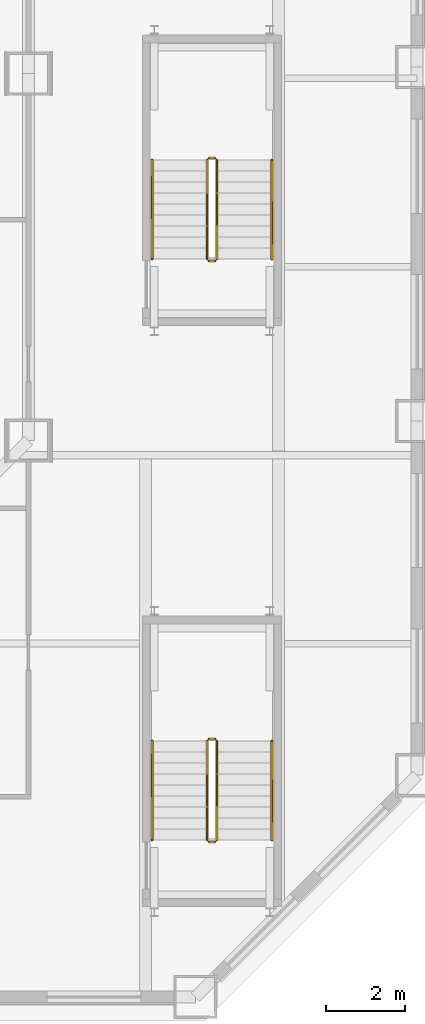
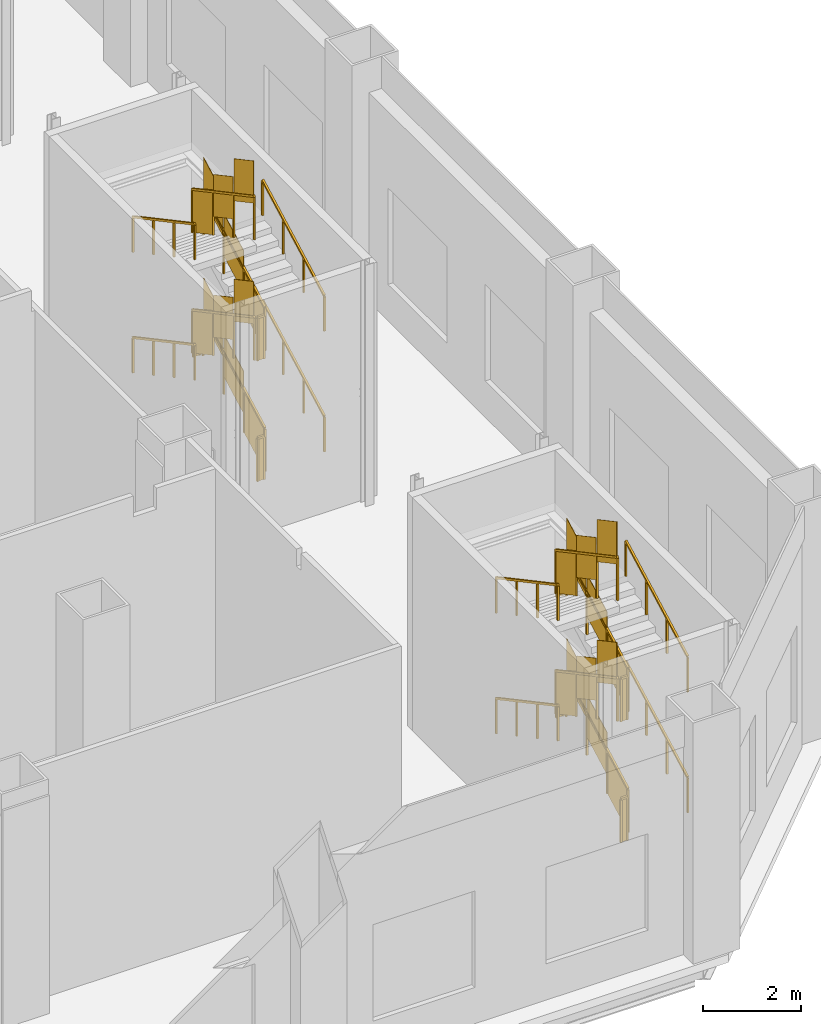
# One storey, part 29 of 31: 23 railings.
"""IFC4 building model written with IfcOpenShell, lengths in metres."""

from ifc_helpers import new_model, si_unit, direction, frame, origin, origin_2d, place, context, subcontext, project, spatial, polyline, rectangle, outline, extrude, material, type_object, element, save


model = new_model("IFC4")

# Units and contexts
model_context = context("Model", 3, precision=1e-05, world=origin(), true_north=direction((0.0, 1.0)))
body_context = subcontext(model_context, "Body", "Model", "MODEL_VIEW")
ifc_project = project(units=[si_unit("LENGTHUNIT", "METRE"), si_unit("AREAUNIT", "SQUARE_METRE"), si_unit("VOLUMEUNIT", "CUBIC_METRE"), si_unit("PLANEANGLEUNIT", "RADIAN"), si_unit("MASSUNIT", "GRAM", prefix="KILO")], contexts=[model_context])

# Site, building, storey
site_placement = place(None, origin())
site = spatial("IfcSite", under=ifc_project, at=site_placement, CompositionType="ELEMENT")
building_placement = place(site_placement, origin())
building = spatial("IfcBuilding", under=site, at=building_placement, Name="Cairn Pilgrim Tower", CompositionType="ELEMENT")
storey_placement = place(building_placement, frame((0.0, 0.0, 9.0)))
storey = spatial("IfcBuildingStorey", under=building, at=storey_placement, Name="L01", CompositionType="ELEMENT", Elevation=9.0)

# Railings
ifc_material = material(Name="Painted steel", Category="steel")
railing_type_1 = type_object("IfcRailingType", Name="PODIUM STAIR GUARD 1100", PredefinedType="GUARDRAIL", material=ifc_material)
railing_1_placement = place(storey_placement, frame((32.699951171875, -24.199951171875, 0.14990234375)))
element("IfcRailing", 1, at=railing_1_placement, inside=storey, type_object=railing_type_1, Name="L01 ST-ES1 stair guard 1", PredefinedType="GUARDRAIL", context=body_context, shape_type="SweptSolid", body=[
    extrude(rectangle(XDim=0.048095703125, YDim=0.048095703125, at=origin_2d()), frame((0.0, 0.0, 1.076171875), z_axis=(0.0, 0.881467274426, 0.472245110209), x_axis=(-1.0, 0.0, 0.0)), (0.0, 0.0, 1.0), 2.85888671875),
    extrude(rectangle(XDim=0.0419921875, YDim=0.0419921875, at=origin_2d()), origin(), (0.0, 0.0, 1.0), 1.052001953125),
    extrude(rectangle(XDim=0.0419921875, YDim=0.0419921875, at=origin_2d()), frame((0.0, 0.840087890625, 0.449951171875)), (0.0, 0.0, 1.0), 1.052001953125),
    extrude(rectangle(XDim=0.0419921875, YDim=0.0419921875, at=origin_2d()), frame((0.0, 1.679931640625, 0.900146484375)), (0.0, 0.0, 1.0), 1.052001953125),
    extrude(rectangle(XDim=0.0419921875, YDim=0.0419921875, at=origin_2d()), frame((0.0, 2.52001953125, 1.35009765625)), (0.0, 0.0, 1.0), 1.052001953125),
    extrude(outline(polyline([(0.02099609375, 0.01123046875), (0.819091796875, 0.438720703125), (0.819091796875, 1.49072265625), (0.02099609375, 1.063232421875), (0.02099609375, 0.01123046875)])), frame((-0.005859375, 0.0, 0.0), z_axis=(1.0, 0.0, 0.0), x_axis=(0.0, 1.0, 0.0)), (0.0, 0.0, 1.0), 0.011962890625),
    extrude(outline(polyline([(0.02099609375, 0.461181640625), (0.819091796875, 0.888916015625), (0.819091796875, 1.94091796875), (0.02099609375, 1.51318359375), (0.02099609375, 0.461181640625)])), frame((-0.005859375, 0.840087890625, 0.449951171875), z_axis=(1.0, 0.0, 0.0), x_axis=(0.0, 1.0, 0.0)), (0.0, 0.0, 1.0), 0.011962890625),
    extrude(outline(polyline([(0.02099609375, 0.911376953125), (0.819091796875, 1.3388671875), (0.819091796875, 2.390869140625), (0.02099609375, 1.96337890625), (0.02099609375, 0.911376953125)])), frame((-0.005859375, 1.679931640625, 0.900146484375), z_axis=(1.0, 0.0, 0.0), x_axis=(0.0, 1.0, 0.0)), (0.0, 0.0, 1.0), 0.011962890625),
])
railing_2_placement = place(storey_placement, frame((32.64990234375, -21.6298828125, 1.5)))
element("IfcRailing", 2, at=railing_2_placement, inside=storey, type_object=railing_type_1, Name="L01 ST-ES1 stair guard 2", PredefinedType="GUARDRAIL", context=body_context, shape_type="SweptSolid", body=[
    extrude(rectangle(XDim=0.048095703125, YDim=0.048095703125, at=origin_2d()), frame((0.0, 0.0, 1.076171875), z_axis=(-1.0, 0.0, 0.0), x_axis=(0.0, -1.0, 0.0)), (0.0, 0.0, 1.0), 0.14990234375),
    extrude(rectangle(XDim=0.0419921875, YDim=0.0419921875, at=origin_2d()), origin(), (0.0, 0.0, 1.0), 1.052001953125),
    extrude(rectangle(XDim=0.0419921875, YDim=0.0419921875, at=origin_2d()), frame((-0.14990234375, 0.0, 0.0)), (0.0, 0.0, 1.0), 1.052001953125),
    extrude(outline(polyline([(0.02099609375, 0.0), (0.12890625, 0.0), (0.12890625, 1.052001953125), (0.02099609375, 1.052001953125), (0.02099609375, 0.0)])), frame((0.0, -0.005859375, 0.0), z_axis=(0.0, 1.0, 0.0), x_axis=(-1.0, 0.0, 0.0)), (0.0, 0.0, 1.0), 0.011962890625),
])
railing_3_placement = place(storey_placement, frame((32.449951171875, -21.679931640625, 1.64990234375)))
element("IfcRailing", 3, at=railing_3_placement, inside=storey, type_object=railing_type_1, Name="L01 ST-ES1 stair guard 3", PredefinedType="GUARDRAIL", context=body_context, shape_type="SweptSolid", body=[
    extrude(rectangle(XDim=0.048095703125, YDim=0.048095703125, at=origin_2d()), frame((0.0, 0.0, 1.076171875), z_axis=(0.0, -0.881467274426, 0.472245110209), x_axis=(1.0, 0.0, 0.0)), (0.0, 0.0, 1.0), 2.85888671875),
    extrude(rectangle(XDim=0.0419921875, YDim=0.0419921875, at=origin_2d()), origin(), (0.0, 0.0, 1.0), 1.052001953125),
    extrude(rectangle(XDim=0.0419921875, YDim=0.0419921875, at=origin_2d()), frame((0.0, -0.840087890625, 0.449951171875)), (0.0, 0.0, 1.0), 1.052001953125),
    extrude(rectangle(XDim=0.0419921875, YDim=0.0419921875, at=origin_2d()), frame((0.0, -1.679931640625, 0.900146484375)), (0.0, 0.0, 1.0), 1.052001953125),
    extrude(rectangle(XDim=0.0419921875, YDim=0.0419921875, at=origin_2d()), frame((0.0, -2.52001953125, 1.35009765625)), (0.0, 0.0, 1.0), 1.052001953125),
    extrude(outline(polyline([(0.02099609375, 0.01123046875), (0.819091796875, 0.438720703125), (0.819091796875, 1.49072265625), (0.02099609375, 1.063232421875), (0.02099609375, 0.01123046875)])), frame((0.005859375, 0.0, 0.0), z_axis=(-1.0, 0.0, 0.0), x_axis=(0.0, -1.0, 0.0)), (0.0, 0.0, 1.0), 0.011962890625),
    extrude(outline(polyline([(0.02099609375, 0.461181640625), (0.819091796875, 0.888916015625), (0.819091796875, 1.94091796875), (0.02099609375, 1.51318359375), (0.02099609375, 0.461181640625)])), frame((0.005859375, -0.840087890625, 0.449951171875), z_axis=(-1.0, 0.0, 0.0), x_axis=(0.0, -1.0, 0.0)), (0.0, 0.0, 1.0), 0.011962890625),
    extrude(outline(polyline([(0.02099609375, 0.911376953125), (0.819091796875, 1.3388671875), (0.819091796875, 2.390869140625), (0.02099609375, 1.96337890625), (0.02099609375, 0.911376953125)])), frame((0.005859375, -1.679931640625, 0.900146484375), z_axis=(-1.0, 0.0, 0.0), x_axis=(0.0, -1.0, 0.0)), (0.0, 0.0, 1.0), 0.011962890625),
])
railing_4_placement = place(storey_placement, frame((32.64990234375, -24.25, 3.0)))
element("IfcRailing", 4, at=railing_4_placement, inside=storey, type_object=railing_type_1, Name="L01 ST-ES1 stair guard 4", PredefinedType="GUARDRAIL", context=body_context, shape_type="SweptSolid", body=[
    extrude(rectangle(XDim=0.048095703125, YDim=0.048095703125, at=origin_2d()), frame((0.0, 0.0, 1.076171875), z_axis=(-1.0, 0.0, 0.0), x_axis=(0.0, -1.0, 0.0)), (0.0, 0.0, 1.0), 0.14990234375),
    extrude(rectangle(XDim=0.0419921875, YDim=0.0419921875, at=origin_2d()), origin(), (0.0, 0.0, 1.0), 1.052001953125),
    extrude(rectangle(XDim=0.0419921875, YDim=0.0419921875, at=origin_2d()), frame((-0.14990234375, 0.0, 0.0)), (0.0, 0.0, 1.0), 1.052001953125),
    extrude(outline(polyline([(0.02099609375, 0.0), (0.12890625, 0.0), (0.12890625, 1.052001953125), (0.02099609375, 1.052001953125), (0.02099609375, 0.0)])), frame((0.0, -0.005859375, 0.0), z_axis=(0.0, 1.0, 0.0), x_axis=(-1.0, 0.0, 0.0)), (0.0, 0.0, 1.0), 0.011962890625),
])
railing_5_placement = place(storey_placement, frame((32.699951171875, -24.199951171875, 3.14990234375)))
element("IfcRailing", 5, at=railing_5_placement, inside=storey, type_object=railing_type_1, Name="L01 ST-ES1 stair guard 5", PredefinedType="GUARDRAIL", context=body_context, shape_type="SweptSolid", body=[
    extrude(rectangle(XDim=0.048095703125, YDim=0.048095703125, at=origin_2d()), frame((0.0, 0.0, 1.076171875), z_axis=(0.0, 0.881467274426, 0.472245110209), x_axis=(-1.0, 0.0, 0.0)), (0.0, 0.0, 1.0), 2.85888671875),
    extrude(rectangle(XDim=0.0419921875, YDim=0.0419921875, at=origin_2d()), origin(), (0.0, 0.0, 1.0), 1.052001953125),
    extrude(rectangle(XDim=0.0419921875, YDim=0.0419921875, at=origin_2d()), frame((0.0, 0.840087890625, 0.449951171875)), (0.0, 0.0, 1.0), 1.052001953125),
    extrude(rectangle(XDim=0.0419921875, YDim=0.0419921875, at=origin_2d()), frame((0.0, 1.679931640625, 0.900146484375)), (0.0, 0.0, 1.0), 1.052001953125),
    extrude(rectangle(XDim=0.0419921875, YDim=0.0419921875, at=origin_2d()), frame((0.0, 2.52001953125, 1.35009765625)), (0.0, 0.0, 1.0), 1.052001953125),
    extrude(outline(polyline([(0.02099609375, 0.01123046875), (0.819091796875, 0.438720703125), (0.819091796875, 1.49072265625), (0.02099609375, 1.063232421875), (0.02099609375, 0.01123046875)])), frame((-0.005859375, 0.0, 0.0), z_axis=(1.0, 0.0, 0.0), x_axis=(0.0, 1.0, 0.0)), (0.0, 0.0, 1.0), 0.011962890625),
    extrude(outline(polyline([(0.02099609375, 0.461181640625), (0.819091796875, 0.888916015625), (0.819091796875, 1.94091796875), (0.02099609375, 1.51318359375), (0.02099609375, 0.461181640625)])), frame((-0.005859375, 0.840087890625, 0.449951171875), z_axis=(1.0, 0.0, 0.0), x_axis=(0.0, 1.0, 0.0)), (0.0, 0.0, 1.0), 0.011962890625),
    extrude(outline(polyline([(0.02099609375, 0.911376953125), (0.819091796875, 1.3388671875), (0.819091796875, 2.390869140625), (0.02099609375, 1.96337890625), (0.02099609375, 0.911376953125)])), frame((-0.005859375, 1.679931640625, 0.900146484375), z_axis=(1.0, 0.0, 0.0), x_axis=(0.0, 1.0, 0.0)), (0.0, 0.0, 1.0), 0.011962890625),
])
railing_6_placement = place(storey_placement, frame((32.64990234375, -21.6298828125, 4.5)))
element("IfcRailing", 6, at=railing_6_placement, inside=storey, type_object=railing_type_1, Name="L01 ST-ES1 stair guard 6", PredefinedType="GUARDRAIL", context=body_context, shape_type="SweptSolid", body=[
    extrude(rectangle(XDim=0.048095703125, YDim=0.048095703125, at=origin_2d()), frame((0.0, 0.0, 1.076171875), z_axis=(-1.0, 0.0, 0.0), x_axis=(0.0, -1.0, 0.0)), (0.0, 0.0, 1.0), 0.14990234375),
    extrude(rectangle(XDim=0.0419921875, YDim=0.0419921875, at=origin_2d()), origin(), (0.0, 0.0, 1.0), 1.052001953125),
    extrude(rectangle(XDim=0.0419921875, YDim=0.0419921875, at=origin_2d()), frame((-0.14990234375, 0.0, 0.0)), (0.0, 0.0, 1.0), 1.052001953125),
    extrude(outline(polyline([(0.02099609375, 0.0), (0.12890625, 0.0), (0.12890625, 1.052001953125), (0.02099609375, 1.052001953125), (0.02099609375, 0.0)])), frame((0.0, -0.005859375, 0.0), z_axis=(0.0, 1.0, 0.0), x_axis=(-1.0, 0.0, 0.0)), (0.0, 0.0, 1.0), 0.011962890625),
])
railing_7_placement = place(storey_placement, frame((32.449951171875, -21.679931640625, 4.64990234375)))
element("IfcRailing", 7, at=railing_7_placement, inside=storey, type_object=railing_type_1, Name="L01 ST-ES1 stair guard 7", PredefinedType="GUARDRAIL", context=body_context, shape_type="SweptSolid", body=[
    extrude(rectangle(XDim=0.048095703125, YDim=0.048095703125, at=origin_2d()), frame((0.0, 0.0, 1.076171875), z_axis=(0.0, -0.881467274426, 0.472245110209), x_axis=(1.0, 0.0, 0.0)), (0.0, 0.0, 1.0), 2.85888671875),
    extrude(rectangle(XDim=0.0419921875, YDim=0.0419921875, at=origin_2d()), origin(), (0.0, 0.0, 1.0), 1.052001953125),
    extrude(rectangle(XDim=0.0419921875, YDim=0.0419921875, at=origin_2d()), frame((0.0, -0.840087890625, 0.449951171875)), (0.0, 0.0, 1.0), 1.052001953125),
    extrude(rectangle(XDim=0.0419921875, YDim=0.0419921875, at=origin_2d()), frame((0.0, -1.679931640625, 0.900146484375)), (0.0, 0.0, 1.0), 1.052001953125),
    extrude(rectangle(XDim=0.0419921875, YDim=0.0419921875, at=origin_2d()), frame((0.0, -2.52001953125, 1.35009765625)), (0.0, 0.0, 1.0), 1.052001953125),
    extrude(outline(polyline([(0.02099609375, 0.01123046875), (0.819091796875, 0.438720703125), (0.819091796875, 1.49072265625), (0.02099609375, 1.063232421875), (0.02099609375, 0.01123046875)])), frame((0.005859375, 0.0, 0.0), z_axis=(-1.0, 0.0, 0.0), x_axis=(0.0, -1.0, 0.0)), (0.0, 0.0, 1.0), 0.011962890625),
    extrude(outline(polyline([(0.02099609375, 0.461181640625), (0.819091796875, 0.888916015625), (0.819091796875, 1.94091796875), (0.02099609375, 1.51318359375), (0.02099609375, 0.461181640625)])), frame((0.005859375, -0.840087890625, 0.449951171875), z_axis=(-1.0, 0.0, 0.0), x_axis=(0.0, -1.0, 0.0)), (0.0, 0.0, 1.0), 0.011962890625),
    extrude(outline(polyline([(0.02099609375, 0.911376953125), (0.819091796875, 1.3388671875), (0.819091796875, 2.390869140625), (0.02099609375, 1.96337890625), (0.02099609375, 0.911376953125)])), frame((0.005859375, -1.679931640625, 0.900146484375), z_axis=(-1.0, 0.0, 0.0), x_axis=(0.0, -1.0, 0.0)), (0.0, 0.0, 1.0), 0.011962890625),
])
railing_8_placement = place(storey_placement, frame((32.64990234375, -24.25, 0.0)))
element("IfcRailing", 8, at=railing_8_placement, inside=storey, type_object=railing_type_1, Name="L01 ST-ES1 stair guard 8", PredefinedType="GUARDRAIL", context=body_context, shape_type="SweptSolid", body=[
    extrude(rectangle(XDim=0.048095703125, YDim=0.048095703125, at=origin_2d()), frame((0.0, 0.0, 1.076171875), z_axis=(-1.0, 0.0, 0.0), x_axis=(0.0, -1.0, 0.0)), (0.0, 0.0, 1.0), 0.14990234375),
    extrude(rectangle(XDim=0.0419921875, YDim=0.0419921875, at=origin_2d()), origin(), (0.0, 0.0, 1.0), 1.052001953125),
    extrude(rectangle(XDim=0.0419921875, YDim=0.0419921875, at=origin_2d()), frame((-0.14990234375, 0.0, 0.0)), (0.0, 0.0, 1.0), 1.052001953125),
    extrude(outline(polyline([(0.02099609375, 0.0), (0.12890625, 0.0), (0.12890625, 1.052001953125), (0.02099609375, 1.052001953125), (0.02099609375, 0.0)])), frame((0.0, -0.005859375, 0.0), z_axis=(0.0, 1.0, 0.0), x_axis=(-1.0, 0.0, 0.0)), (0.0, 0.0, 1.0), 0.011962890625),
])
railing_9_placement = place(storey_placement, frame((32.699951171875, -9.39990234375, 0.14990234375)))
element("IfcRailing", 9, at=railing_9_placement, inside=storey, type_object=railing_type_1, Name="L01 ST-ES2 stair guard 1", PredefinedType="GUARDRAIL", context=body_context, shape_type="SweptSolid", body=[
    extrude(rectangle(XDim=0.048095703125, YDim=0.048095703125, at=origin_2d()), frame((0.0, 0.0, 1.076171875), z_axis=(0.0, 0.881467274426, 0.472245110209), x_axis=(-1.0, 0.0, 0.0)), (0.0, 0.0, 1.0), 2.85888671875),
    extrude(rectangle(XDim=0.0419921875, YDim=0.0419921875, at=origin_2d()), origin(), (0.0, 0.0, 1.0), 1.052001953125),
    extrude(rectangle(XDim=0.0419921875, YDim=0.0419921875, at=origin_2d()), frame((0.0, 0.840087890625, 0.449951171875)), (0.0, 0.0, 1.0), 1.052001953125),
    extrude(rectangle(XDim=0.0419921875, YDim=0.0419921875, at=origin_2d()), frame((0.0, 1.679931640625, 0.900146484375)), (0.0, 0.0, 1.0), 1.052001953125),
    extrude(rectangle(XDim=0.0419921875, YDim=0.0419921875, at=origin_2d()), frame((0.0, 2.52001953125, 1.35009765625)), (0.0, 0.0, 1.0), 1.052001953125),
    extrude(outline(polyline([(0.02099609375, 0.01123046875), (0.819091796875, 0.438720703125), (0.819091796875, 1.49072265625), (0.02099609375, 1.063232421875), (0.02099609375, 0.01123046875)])), frame((-0.005859375, 0.0, 0.0), z_axis=(1.0, 0.0, 0.0), x_axis=(0.0, 1.0, 0.0)), (0.0, 0.0, 1.0), 0.011962890625),
    extrude(outline(polyline([(0.02099609375, 0.461181640625), (0.819091796875, 0.888916015625), (0.819091796875, 1.94091796875), (0.02099609375, 1.51318359375), (0.02099609375, 0.461181640625)])), frame((-0.005859375, 0.840087890625, 0.449951171875), z_axis=(1.0, 0.0, 0.0), x_axis=(0.0, 1.0, 0.0)), (0.0, 0.0, 1.0), 0.011962890625),
    extrude(outline(polyline([(0.02099609375, 0.911376953125), (0.819091796875, 1.3388671875), (0.819091796875, 2.390869140625), (0.02099609375, 1.96337890625), (0.02099609375, 0.911376953125)])), frame((-0.005859375, 1.679931640625, 0.900146484375), z_axis=(1.0, 0.0, 0.0), x_axis=(0.0, 1.0, 0.0)), (0.0, 0.0, 1.0), 0.011962890625),
])
railing_10_placement = place(storey_placement, frame((32.64990234375, -6.830078125, 1.5)))
element("IfcRailing", 10, at=railing_10_placement, inside=storey, type_object=railing_type_1, Name="L01 ST-ES2 stair guard 2", PredefinedType="GUARDRAIL", context=body_context, shape_type="SweptSolid", body=[
    extrude(rectangle(XDim=0.048095703125, YDim=0.048095703125, at=origin_2d()), frame((0.0, 0.0, 1.076171875), z_axis=(-1.0, 0.0, 0.0), x_axis=(0.0, -1.0, 0.0)), (0.0, 0.0, 1.0), 0.14990234375),
    extrude(rectangle(XDim=0.0419921875, YDim=0.0419921875, at=origin_2d()), origin(), (0.0, 0.0, 1.0), 1.052001953125),
    extrude(rectangle(XDim=0.0419921875, YDim=0.0419921875, at=origin_2d()), frame((-0.14990234375, 0.0, 0.0)), (0.0, 0.0, 1.0), 1.052001953125),
    extrude(outline(polyline([(0.02099609375, 0.0), (0.12890625, 0.0), (0.12890625, 1.052001953125), (0.02099609375, 1.052001953125), (0.02099609375, 0.0)])), frame((0.0, -0.005859375, 0.0), z_axis=(0.0, 1.0, 0.0), x_axis=(-1.0, 0.0, 0.0)), (0.0, 0.0, 1.0), 0.011962890625),
])
railing_11_placement = place(storey_placement, frame((32.449951171875, -6.8798828125, 1.64990234375)))
element("IfcRailing", 11, at=railing_11_placement, inside=storey, type_object=railing_type_1, Name="L01 ST-ES2 stair guard 3", PredefinedType="GUARDRAIL", context=body_context, shape_type="SweptSolid", body=[
    extrude(rectangle(XDim=0.048095703125, YDim=0.048095703125, at=origin_2d()), frame((0.0, 0.0, 1.076171875), z_axis=(0.0, -0.881467274426, 0.472245110209), x_axis=(1.0, 0.0, 0.0)), (0.0, 0.0, 1.0), 2.85888671875),
    extrude(rectangle(XDim=0.0419921875, YDim=0.0419921875, at=origin_2d()), origin(), (0.0, 0.0, 1.0), 1.052001953125),
    extrude(rectangle(XDim=0.0419921875, YDim=0.0419921875, at=origin_2d()), frame((0.0, -0.840087890625, 0.449951171875)), (0.0, 0.0, 1.0), 1.052001953125),
    extrude(rectangle(XDim=0.0419921875, YDim=0.0419921875, at=origin_2d()), frame((0.0, -1.679931640625, 0.900146484375)), (0.0, 0.0, 1.0), 1.052001953125),
    extrude(rectangle(XDim=0.0419921875, YDim=0.0419921875, at=origin_2d()), frame((0.0, -2.52001953125, 1.35009765625)), (0.0, 0.0, 1.0), 1.052001953125),
    extrude(outline(polyline([(0.02099609375, 0.01123046875), (0.819091796875, 0.438720703125), (0.819091796875, 1.49072265625), (0.02099609375, 1.063232421875), (0.02099609375, 0.01123046875)])), frame((0.005859375, 0.0, 0.0), z_axis=(-1.0, 0.0, 0.0), x_axis=(0.0, -1.0, 0.0)), (0.0, 0.0, 1.0), 0.011962890625),
    extrude(outline(polyline([(0.02099609375, 0.461181640625), (0.819091796875, 0.888916015625), (0.819091796875, 1.94091796875), (0.02099609375, 1.51318359375), (0.02099609375, 0.461181640625)])), frame((0.005859375, -0.840087890625, 0.449951171875), z_axis=(-1.0, 0.0, 0.0), x_axis=(0.0, -1.0, 0.0)), (0.0, 0.0, 1.0), 0.011962890625),
    extrude(outline(polyline([(0.02099609375, 0.911376953125), (0.819091796875, 1.3388671875), (0.819091796875, 2.390869140625), (0.02099609375, 1.96337890625), (0.02099609375, 0.911376953125)])), frame((0.005859375, -1.679931640625, 0.900146484375), z_axis=(-1.0, 0.0, 0.0), x_axis=(0.0, -1.0, 0.0)), (0.0, 0.0, 1.0), 0.011962890625),
])
railing_12_placement = place(storey_placement, frame((32.64990234375, -9.449951171875, 3.0)))
element("IfcRailing", 12, at=railing_12_placement, inside=storey, type_object=railing_type_1, Name="L01 ST-ES2 stair guard 4", PredefinedType="GUARDRAIL", context=body_context, shape_type="SweptSolid", body=[
    extrude(rectangle(XDim=0.048095703125, YDim=0.048095703125, at=origin_2d()), frame((0.0, 0.0, 1.076171875), z_axis=(-1.0, 0.0, 0.0), x_axis=(0.0, -1.0, 0.0)), (0.0, 0.0, 1.0), 0.14990234375),
    extrude(rectangle(XDim=0.0419921875, YDim=0.0419921875, at=origin_2d()), origin(), (0.0, 0.0, 1.0), 1.052001953125),
    extrude(rectangle(XDim=0.0419921875, YDim=0.0419921875, at=origin_2d()), frame((-0.14990234375, 0.0, 0.0)), (0.0, 0.0, 1.0), 1.052001953125),
    extrude(outline(polyline([(0.02099609375, 0.0), (0.12890625, 0.0), (0.12890625, 1.052001953125), (0.02099609375, 1.052001953125), (0.02099609375, 0.0)])), frame((0.0, -0.005859375, 0.0), z_axis=(0.0, 1.0, 0.0), x_axis=(-1.0, 0.0, 0.0)), (0.0, 0.0, 1.0), 0.011962890625),
])
railing_13_placement = place(storey_placement, frame((32.699951171875, -9.39990234375, 3.14990234375)))
element("IfcRailing", 13, at=railing_13_placement, inside=storey, type_object=railing_type_1, Name="L01 ST-ES2 stair guard 5", PredefinedType="GUARDRAIL", context=body_context, shape_type="SweptSolid", body=[
    extrude(rectangle(XDim=0.048095703125, YDim=0.048095703125, at=origin_2d()), frame((0.0, 0.0, 1.076171875), z_axis=(0.0, 0.881467274426, 0.472245110209), x_axis=(-1.0, 0.0, 0.0)), (0.0, 0.0, 1.0), 2.85888671875),
    extrude(rectangle(XDim=0.0419921875, YDim=0.0419921875, at=origin_2d()), origin(), (0.0, 0.0, 1.0), 1.052001953125),
    extrude(rectangle(XDim=0.0419921875, YDim=0.0419921875, at=origin_2d()), frame((0.0, 0.840087890625, 0.449951171875)), (0.0, 0.0, 1.0), 1.052001953125),
    extrude(rectangle(XDim=0.0419921875, YDim=0.0419921875, at=origin_2d()), frame((0.0, 1.679931640625, 0.900146484375)), (0.0, 0.0, 1.0), 1.052001953125),
    extrude(rectangle(XDim=0.0419921875, YDim=0.0419921875, at=origin_2d()), frame((0.0, 2.52001953125, 1.35009765625)), (0.0, 0.0, 1.0), 1.052001953125),
    extrude(outline(polyline([(0.02099609375, 0.01123046875), (0.819091796875, 0.438720703125), (0.819091796875, 1.49072265625), (0.02099609375, 1.063232421875), (0.02099609375, 0.01123046875)])), frame((-0.005859375, 0.0, 0.0), z_axis=(1.0, 0.0, 0.0), x_axis=(0.0, 1.0, 0.0)), (0.0, 0.0, 1.0), 0.011962890625),
    extrude(outline(polyline([(0.02099609375, 0.461181640625), (0.819091796875, 0.888916015625), (0.819091796875, 1.94091796875), (0.02099609375, 1.51318359375), (0.02099609375, 0.461181640625)])), frame((-0.005859375, 0.840087890625, 0.449951171875), z_axis=(1.0, 0.0, 0.0), x_axis=(0.0, 1.0, 0.0)), (0.0, 0.0, 1.0), 0.011962890625),
    extrude(outline(polyline([(0.02099609375, 0.911376953125), (0.819091796875, 1.3388671875), (0.819091796875, 2.390869140625), (0.02099609375, 1.96337890625), (0.02099609375, 0.911376953125)])), frame((-0.005859375, 1.679931640625, 0.900146484375), z_axis=(1.0, 0.0, 0.0), x_axis=(0.0, 1.0, 0.0)), (0.0, 0.0, 1.0), 0.011962890625),
])
railing_14_placement = place(storey_placement, frame((32.449951171875, -6.8798828125, 4.64990234375)))
element("IfcRailing", 14, at=railing_14_placement, inside=storey, type_object=railing_type_1, Name="L01 ST-ES2 stair guard 7", PredefinedType="GUARDRAIL", context=body_context, shape_type="SweptSolid", body=[
    extrude(rectangle(XDim=0.048095703125, YDim=0.048095703125, at=origin_2d()), frame((0.0, 0.0, 1.076171875), z_axis=(0.0, -0.881467274426, 0.472245110209), x_axis=(1.0, 0.0, 0.0)), (0.0, 0.0, 1.0), 2.85888671875),
    extrude(rectangle(XDim=0.0419921875, YDim=0.0419921875, at=origin_2d()), origin(), (0.0, 0.0, 1.0), 1.052001953125),
    extrude(rectangle(XDim=0.0419921875, YDim=0.0419921875, at=origin_2d()), frame((0.0, -0.840087890625, 0.449951171875)), (0.0, 0.0, 1.0), 1.052001953125),
    extrude(rectangle(XDim=0.0419921875, YDim=0.0419921875, at=origin_2d()), frame((0.0, -1.679931640625, 0.900146484375)), (0.0, 0.0, 1.0), 1.052001953125),
    extrude(rectangle(XDim=0.0419921875, YDim=0.0419921875, at=origin_2d()), frame((0.0, -2.52001953125, 1.35009765625)), (0.0, 0.0, 1.0), 1.052001953125),
    extrude(outline(polyline([(0.02099609375, 0.01123046875), (0.819091796875, 0.438720703125), (0.819091796875, 1.49072265625), (0.02099609375, 1.063232421875), (0.02099609375, 0.01123046875)])), frame((0.005859375, 0.0, 0.0), z_axis=(-1.0, 0.0, 0.0), x_axis=(0.0, -1.0, 0.0)), (0.0, 0.0, 1.0), 0.011962890625),
    extrude(outline(polyline([(0.02099609375, 0.461181640625), (0.819091796875, 0.888916015625), (0.819091796875, 1.94091796875), (0.02099609375, 1.51318359375), (0.02099609375, 0.461181640625)])), frame((0.005859375, -0.840087890625, 0.449951171875), z_axis=(-1.0, 0.0, 0.0), x_axis=(0.0, -1.0, 0.0)), (0.0, 0.0, 1.0), 0.011962890625),
    extrude(outline(polyline([(0.02099609375, 0.911376953125), (0.819091796875, 1.3388671875), (0.819091796875, 2.390869140625), (0.02099609375, 1.96337890625), (0.02099609375, 0.911376953125)])), frame((0.005859375, -1.679931640625, 0.900146484375), z_axis=(-1.0, 0.0, 0.0), x_axis=(0.0, -1.0, 0.0)), (0.0, 0.0, 1.0), 0.011962890625),
])
railing_15_placement = place(storey_placement, frame((32.64990234375, -9.449951171875, 0.0)))
element("IfcRailing", 15, at=railing_15_placement, inside=storey, type_object=railing_type_1, Name="L01 ST-ES2 stair guard 8", PredefinedType="GUARDRAIL", context=body_context, shape_type="SweptSolid", body=[
    extrude(rectangle(XDim=0.048095703125, YDim=0.048095703125, at=origin_2d()), frame((0.0, 0.0, 1.076171875), z_axis=(-1.0, 0.0, 0.0), x_axis=(0.0, -1.0, 0.0)), (0.0, 0.0, 1.0), 0.14990234375),
    extrude(rectangle(XDim=0.0419921875, YDim=0.0419921875, at=origin_2d()), origin(), (0.0, 0.0, 1.0), 1.052001953125),
    extrude(rectangle(XDim=0.0419921875, YDim=0.0419921875, at=origin_2d()), frame((-0.14990234375, 0.0, 0.0)), (0.0, 0.0, 1.0), 1.052001953125),
    extrude(outline(polyline([(0.02099609375, 0.0), (0.12890625, 0.0), (0.12890625, 1.052001953125), (0.02099609375, 1.052001953125), (0.02099609375, 0.0)])), frame((0.0, -0.005859375, 0.0), z_axis=(0.0, 1.0, 0.0), x_axis=(-1.0, 0.0, 0.0)), (0.0, 0.0, 1.0), 0.011962890625),
])
railing_type_2 = type_object("IfcRailingType", Name="PODIUM STAIR HANDRAIL 900", PredefinedType="HANDRAIL", material=ifc_material)
railing_16_placement = place(storey_placement, frame((34.10009765625, -24.199951171875, 0.14990234375)))
element("IfcRailing", 16, at=railing_16_placement, inside=storey, type_object=railing_type_2, Name="L01 ST-ES1 stair handrail 1", PredefinedType="HANDRAIL", context=body_context, shape_type="SweptSolid", body=[
    extrude(rectangle(XDim=0.048095703125, YDim=0.048095703125, at=origin_2d()), frame((0.0, 0.0, 0.8759765625), z_axis=(0.0, 0.881467274426, 0.472245110209), x_axis=(-1.0, 0.0, 0.0)), (0.0, 0.0, 1.0), 2.85888671875),
    extrude(rectangle(XDim=0.0419921875, YDim=0.0419921875, at=origin_2d()), origin(), (0.0, 0.0, 1.0), 0.851806640625),
    extrude(rectangle(XDim=0.0419921875, YDim=0.0419921875, at=origin_2d()), frame((0.0, 0.840087890625, 0.449951171875)), (0.0, 0.0, 1.0), 0.851806640625),
    extrude(rectangle(XDim=0.0419921875, YDim=0.0419921875, at=origin_2d()), frame((0.0, 1.679931640625, 0.900146484375)), (0.0, 0.0, 1.0), 0.851806640625),
    extrude(rectangle(XDim=0.0419921875, YDim=0.0419921875, at=origin_2d()), frame((0.0, 2.52001953125, 1.35009765625)), (0.0, 0.0, 1.0), 0.851806640625),
])
railing_17_placement = place(storey_placement, frame((31.050048828125, -21.679931640625, 1.64990234375)))
element("IfcRailing", 17, at=railing_17_placement, inside=storey, type_object=railing_type_2, Name="L01 ST-ES1 stair handrail 2", PredefinedType="HANDRAIL", context=body_context, shape_type="SweptSolid", body=[
    extrude(rectangle(XDim=0.048095703125, YDim=0.048095703125, at=origin_2d()), frame((0.0, 0.0, 0.8759765625), z_axis=(0.0, -0.881467274426, 0.472245110209), x_axis=(1.0, 0.0, 0.0)), (0.0, 0.0, 1.0), 2.85888671875),
    extrude(rectangle(XDim=0.0419921875, YDim=0.0419921875, at=origin_2d()), origin(), (0.0, 0.0, 1.0), 0.851806640625),
    extrude(rectangle(XDim=0.0419921875, YDim=0.0419921875, at=origin_2d()), frame((0.0, -0.840087890625, 0.449951171875)), (0.0, 0.0, 1.0), 0.851806640625),
    extrude(rectangle(XDim=0.0419921875, YDim=0.0419921875, at=origin_2d()), frame((0.0, -1.679931640625, 0.900146484375)), (0.0, 0.0, 1.0), 0.851806640625),
    extrude(rectangle(XDim=0.0419921875, YDim=0.0419921875, at=origin_2d()), frame((0.0, -2.52001953125, 1.35009765625)), (0.0, 0.0, 1.0), 0.851806640625),
])
railing_18_placement = place(storey_placement, frame((34.10009765625, -24.199951171875, 3.14990234375)))
element("IfcRailing", 18, at=railing_18_placement, inside=storey, type_object=railing_type_2, Name="L01 ST-ES1 stair handrail 3", PredefinedType="HANDRAIL", context=body_context, shape_type="SweptSolid", body=[
    extrude(rectangle(XDim=0.048095703125, YDim=0.048095703125, at=origin_2d()), frame((0.0, 0.0, 0.8759765625), z_axis=(0.0, 0.881467274426, 0.472245110209), x_axis=(-1.0, 0.0, 0.0)), (0.0, 0.0, 1.0), 2.85888671875),
    extrude(rectangle(XDim=0.0419921875, YDim=0.0419921875, at=origin_2d()), origin(), (0.0, 0.0, 1.0), 0.851806640625),
    extrude(rectangle(XDim=0.0419921875, YDim=0.0419921875, at=origin_2d()), frame((0.0, 0.840087890625, 0.449951171875)), (0.0, 0.0, 1.0), 0.851806640625),
    extrude(rectangle(XDim=0.0419921875, YDim=0.0419921875, at=origin_2d()), frame((0.0, 1.679931640625, 0.900146484375)), (0.0, 0.0, 1.0), 0.851806640625),
    extrude(rectangle(XDim=0.0419921875, YDim=0.0419921875, at=origin_2d()), frame((0.0, 2.52001953125, 1.35009765625)), (0.0, 0.0, 1.0), 0.851806640625),
])
railing_19_placement = place(storey_placement, frame((31.050048828125, -21.679931640625, 4.64990234375)))
element("IfcRailing", 19, at=railing_19_placement, inside=storey, type_object=railing_type_2, Name="L01 ST-ES1 stair handrail 4", PredefinedType="HANDRAIL", context=body_context, shape_type="SweptSolid", body=[
    extrude(rectangle(XDim=0.048095703125, YDim=0.048095703125, at=origin_2d()), frame((0.0, 0.0, 0.8759765625), z_axis=(0.0, -0.881467274426, 0.472245110209), x_axis=(1.0, 0.0, 0.0)), (0.0, 0.0, 1.0), 2.85888671875),
    extrude(rectangle(XDim=0.0419921875, YDim=0.0419921875, at=origin_2d()), origin(), (0.0, 0.0, 1.0), 0.851806640625),
    extrude(rectangle(XDim=0.0419921875, YDim=0.0419921875, at=origin_2d()), frame((0.0, -0.840087890625, 0.449951171875)), (0.0, 0.0, 1.0), 0.851806640625),
    extrude(rectangle(XDim=0.0419921875, YDim=0.0419921875, at=origin_2d()), frame((0.0, -1.679931640625, 0.900146484375)), (0.0, 0.0, 1.0), 0.851806640625),
    extrude(rectangle(XDim=0.0419921875, YDim=0.0419921875, at=origin_2d()), frame((0.0, -2.52001953125, 1.35009765625)), (0.0, 0.0, 1.0), 0.851806640625),
])
railing_20_placement = place(storey_placement, frame((34.10009765625, -9.39990234375, 0.14990234375)))
element("IfcRailing", 20, at=railing_20_placement, inside=storey, type_object=railing_type_2, Name="L01 ST-ES2 stair handrail 1", PredefinedType="HANDRAIL", context=body_context, shape_type="SweptSolid", body=[
    extrude(rectangle(XDim=0.048095703125, YDim=0.048095703125, at=origin_2d()), frame((0.0, 0.0, 0.8759765625), z_axis=(0.0, 0.881467274426, 0.472245110209), x_axis=(-1.0, 0.0, 0.0)), (0.0, 0.0, 1.0), 2.85888671875),
    extrude(rectangle(XDim=0.0419921875, YDim=0.0419921875, at=origin_2d()), origin(), (0.0, 0.0, 1.0), 0.851806640625),
    extrude(rectangle(XDim=0.0419921875, YDim=0.0419921875, at=origin_2d()), frame((0.0, 0.840087890625, 0.449951171875)), (0.0, 0.0, 1.0), 0.851806640625),
    extrude(rectangle(XDim=0.0419921875, YDim=0.0419921875, at=origin_2d()), frame((0.0, 1.679931640625, 0.900146484375)), (0.0, 0.0, 1.0), 0.851806640625),
    extrude(rectangle(XDim=0.0419921875, YDim=0.0419921875, at=origin_2d()), frame((0.0, 2.52001953125, 1.35009765625)), (0.0, 0.0, 1.0), 0.851806640625),
])
railing_21_placement = place(storey_placement, frame((31.050048828125, -6.8798828125, 1.64990234375)))
element("IfcRailing", 21, at=railing_21_placement, inside=storey, type_object=railing_type_2, Name="L01 ST-ES2 stair handrail 2", PredefinedType="HANDRAIL", context=body_context, shape_type="SweptSolid", body=[
    extrude(rectangle(XDim=0.048095703125, YDim=0.048095703125, at=origin_2d()), frame((0.0, 0.0, 0.8759765625), z_axis=(0.0, -0.881467274426, 0.472245110209), x_axis=(1.0, 0.0, 0.0)), (0.0, 0.0, 1.0), 2.85888671875),
    extrude(rectangle(XDim=0.0419921875, YDim=0.0419921875, at=origin_2d()), origin(), (0.0, 0.0, 1.0), 0.851806640625),
    extrude(rectangle(XDim=0.0419921875, YDim=0.0419921875, at=origin_2d()), frame((0.0, -0.840087890625, 0.449951171875)), (0.0, 0.0, 1.0), 0.851806640625),
    extrude(rectangle(XDim=0.0419921875, YDim=0.0419921875, at=origin_2d()), frame((0.0, -1.679931640625, 0.900146484375)), (0.0, 0.0, 1.0), 0.851806640625),
    extrude(rectangle(XDim=0.0419921875, YDim=0.0419921875, at=origin_2d()), frame((0.0, -2.52001953125, 1.35009765625)), (0.0, 0.0, 1.0), 0.851806640625),
])
railing_22_placement = place(storey_placement, frame((34.10009765625, -9.39990234375, 3.14990234375)))
element("IfcRailing", 22, at=railing_22_placement, inside=storey, type_object=railing_type_2, Name="L01 ST-ES2 stair handrail 3", PredefinedType="HANDRAIL", context=body_context, shape_type="SweptSolid", body=[
    extrude(rectangle(XDim=0.048095703125, YDim=0.048095703125, at=origin_2d()), frame((0.0, 0.0, 0.8759765625), z_axis=(0.0, 0.881467274426, 0.472245110209), x_axis=(-1.0, 0.0, 0.0)), (0.0, 0.0, 1.0), 2.85888671875),
    extrude(rectangle(XDim=0.0419921875, YDim=0.0419921875, at=origin_2d()), origin(), (0.0, 0.0, 1.0), 0.851806640625),
    extrude(rectangle(XDim=0.0419921875, YDim=0.0419921875, at=origin_2d()), frame((0.0, 0.840087890625, 0.449951171875)), (0.0, 0.0, 1.0), 0.851806640625),
    extrude(rectangle(XDim=0.0419921875, YDim=0.0419921875, at=origin_2d()), frame((0.0, 1.679931640625, 0.900146484375)), (0.0, 0.0, 1.0), 0.851806640625),
    extrude(rectangle(XDim=0.0419921875, YDim=0.0419921875, at=origin_2d()), frame((0.0, 2.52001953125, 1.35009765625)), (0.0, 0.0, 1.0), 0.851806640625),
])
railing_23_placement = place(storey_placement, frame((31.050048828125, -6.8798828125, 4.64990234375)))
element("IfcRailing", 23, at=railing_23_placement, inside=storey, type_object=railing_type_2, Name="L01 ST-ES2 stair handrail 4", PredefinedType="HANDRAIL", context=body_context, shape_type="SweptSolid", body=[
    extrude(rectangle(XDim=0.048095703125, YDim=0.048095703125, at=origin_2d()), frame((0.0, 0.0, 0.8759765625), z_axis=(0.0, -0.881467274426, 0.472245110209), x_axis=(1.0, 0.0, 0.0)), (0.0, 0.0, 1.0), 2.85888671875),
    extrude(rectangle(XDim=0.0419921875, YDim=0.0419921875, at=origin_2d()), origin(), (0.0, 0.0, 1.0), 0.851806640625),
    extrude(rectangle(XDim=0.0419921875, YDim=0.0419921875, at=origin_2d()), frame((0.0, -0.840087890625, 0.449951171875)), (0.0, 0.0, 1.0), 0.851806640625),
    extrude(rectangle(XDim=0.0419921875, YDim=0.0419921875, at=origin_2d()), frame((0.0, -1.679931640625, 0.900146484375)), (0.0, 0.0, 1.0), 0.851806640625),
    extrude(rectangle(XDim=0.0419921875, YDim=0.0419921875, at=origin_2d()), frame((0.0, -2.52001953125, 1.35009765625)), (0.0, 0.0, 1.0), 0.851806640625),
])

save(model, "model.ifc")
